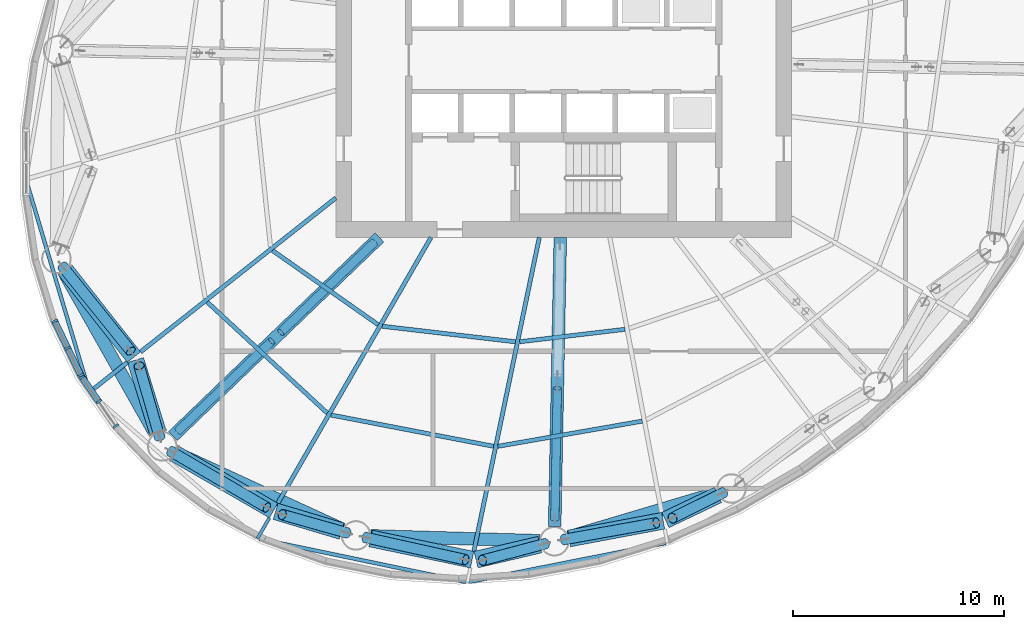
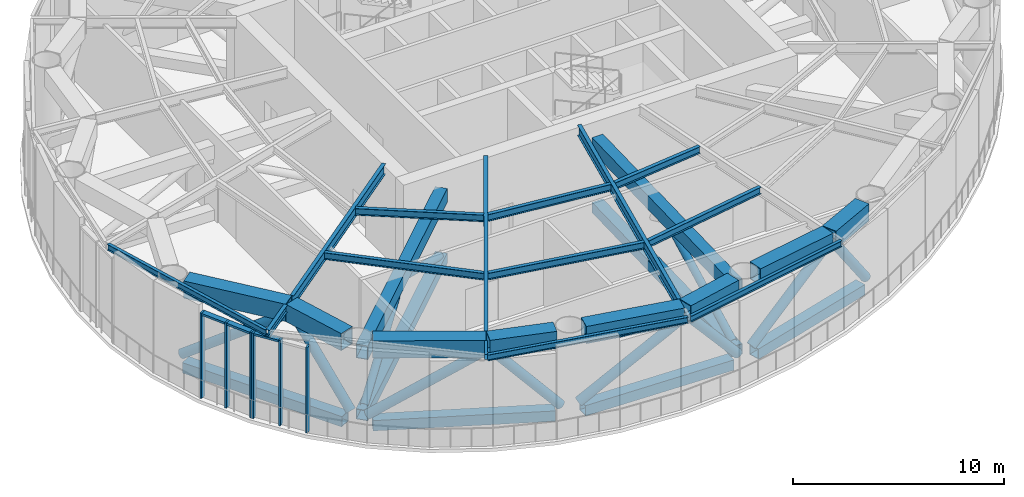
# One storey, part 2 of 19: 36 members, 14 beams, 2 elements without a shape of their own.
"""IFC4 building model written with IfcOpenShell, lengths in metres."""

from ifc_helpers import new_model, si_unit, direction, frame, origin, origin_2d, place, context, subcontext, project, spatial, rectangle, hollow_rectangle, hollow_circle, i_section, extrude, material, material_profile, profile_set, type_object, element, aggregate, save


model = new_model("IFC4")

# Units and contexts
model_context = context("Model", 3, precision=1e-05, world=origin(), true_north=direction((0.0, 1.0)))
body_context = subcontext(model_context, "Body", "Model", "MODEL_VIEW")
ifc_project = project(units=[si_unit("LENGTHUNIT", "METRE"), si_unit("AREAUNIT", "SQUARE_METRE"), si_unit("VOLUMEUNIT", "CUBIC_METRE"), si_unit("PLANEANGLEUNIT", "RADIAN"), si_unit("MASSUNIT", "GRAM", prefix="KILO")], contexts=[model_context])

# Site, building, storey
site_placement = place(None, origin())
site = spatial("IfcSite", under=ifc_project, at=site_placement, CompositionType="ELEMENT")
building_placement = place(site_placement, origin())
building = spatial("IfcBuilding", under=site, at=building_placement, Name="Vermilion Reach Broadcast Tower", CompositionType="ELEMENT")
storey_placement = place(building_placement, frame((0.0, 0.0, 190.199951171875)))
storey = spatial("IfcBuildingStorey", under=building, at=storey_placement, Name="L46", CompositionType="ELEMENT", Elevation=190.199951171875)

# Members
ifc_material_1 = material(Name="Steel S460NL", Category="steel")
ifc_material_profile_1 = material_profile(ifc_material_1, hollow_rectangle(XDim=0.60009765625, YDim=0.60009765625, WallThickness=0.030029296875, at=origin_2d()), Name="S460NL BOX 600x600x30")
ifc_profile_set_1 = profile_set([ifc_material_profile_1], Name="Steel S460NL")
member_type_1 = type_object("IfcMemberType", Name="BT3-BC BOX 600x600x30", PredefinedType="CHORD", material=ifc_profile_set_1)
member_1_placement = place(storey_placement, frame((-29.696533203125, -10.026123046875, 0.300048828125), z_axis=(0.491466825026, -0.870896296869, 0.0), x_axis=(0.870896296869, 0.491466825026, 0.0)))
element("IfcMember", 1, at=member_1_placement, inside=storey, type_object=member_type_1, Name="Belt truss bottom chord BT3-BC08", PredefinedType="CHORD", context=body_context, shape_type="SweptSolid", body=[
    extrude(hollow_rectangle(XDim=0.60009765625, YDim=0.60009765625, WallThickness=0.030029296875, at=origin_2d()), origin(), (0.0, 0.0, 1.0), 8.803466796875),
])
member_2_placement = place(storey_placement, frame((-24.389892578125, -18.594970703125, 0.300048828125), z_axis=(0.908546241769, -0.417784306272, 0.0), x_axis=(0.417784306272, 0.908546241769, 0.0)))
element("IfcMember", 2, at=member_2_placement, inside=storey, type_object=member_type_1, Name="Belt truss bottom chord BT3-BC09", PredefinedType="CHORD", context=body_context, shape_type="SweptSolid", body=[
    extrude(hollow_rectangle(XDim=0.60009765625, YDim=0.60009765625, WallThickness=0.030029296875, at=origin_2d()), origin(), (0.0, 0.0, 1.0), 8.704833984375),
])
member_3_placement = place(storey_placement, frame((-15.1455078125, -22.544677734375, 0.300048828125), z_axis=(0.999569781146, -0.029330063427, 0.0), x_axis=(0.029330063427, 0.999569781146, 0.0)))
element("IfcMember", 3, at=member_3_placement, inside=storey, type_object=member_type_1, Name="Belt truss bottom chord BT3-BC10", PredefinedType="CHORD", context=body_context, shape_type="SweptSolid", body=[
    extrude(hollow_rectangle(XDim=0.60009765625, YDim=0.60009765625, WallThickness=0.030029296875, at=origin_2d()), origin(), (0.0, 0.0, 1.0), 8.007568359375),
])
member_4_placement = place(storey_placement, frame((-5.770751953125, -22.60009765625, 0.300048828125), z_axis=(0.958416970322, 0.285371531516, 0.0), x_axis=(-0.285371531516, 0.958416970322, 0.0)))
element("IfcMember", 4, at=member_4_placement, inside=storey, type_object=member_type_1, Name="Belt truss bottom chord BT3-BC11", PredefinedType="CHORD", context=body_context, shape_type="SweptSolid", body=[
    extrude(hollow_rectangle(XDim=0.60009765625, YDim=0.60009765625, WallThickness=0.030029296875, at=origin_2d()), origin(), (0.0, 0.0, 1.0), 7.357421875),
])
ifc_material_2 = material(Name="Steel S355J2H", Category="steel")
ifc_material_profile_2 = material_profile(ifc_material_2, hollow_circle(Radius=0.25390625, WallThickness=0.02001953125, at=origin_2d()), Name="S355J2H CHS 508x20")
ifc_profile_set_2 = profile_set([ifc_material_profile_2], Name="Steel S355J2H")
member_type_2 = type_object("IfcMemberType", Name="BT3-D CHS 508x20", PredefinedType="BRACE", material=ifc_profile_set_2)
member_5_placement = place(storey_placement, frame((-29.758056640625, -9.766845703125, 0.800048828125), z_axis=(0.517850533058, -0.642158049048, 0.565211345829), x_axis=(0.778424211723, 0.62773859735, 0.0)))
element("IfcMember", 5, at=member_5_placement, inside=storey, type_object=member_type_2, Name="Belt truss diagonal BT3-D08A", PredefinedType="BRACE", context=body_context, shape_type="SweptSolid", body=[
    extrude(hollow_circle(Radius=0.25390625, WallThickness=0.02001953125, at=origin_2d()), origin(), (0.0, 0.0, 1.0), 6.26318359375),
])
member_6_placement = place(storey_placement, frame((-25.150146484375, -17.8701171875, 0.800048828125), z_axis=(-0.19455754061, 0.677846490444, 0.708993299534), x_axis=(-0.961190959632, -0.275883923276, 0.0)))
element("IfcMember", 6, at=member_6_placement, inside=storey, type_object=member_type_2, Name="Belt truss diagonal BT3-D08B", PredefinedType="BRACE", context=body_context, shape_type="SweptSolid", body=[
    extrude(hollow_circle(Radius=0.25390625, WallThickness=0.02001953125, at=origin_2d()), origin(), (0.0, 0.0, 1.0), 4.9931640625),
])
member_7_placement = place(storey_placement, frame((-24.637451171875, -18.52978515625, 0.800048828125), z_axis=(0.717597662826, -0.41968788047, 0.555801832754), x_axis=(0.50484831086, 0.863208076319, 0.0)))
element("IfcMember", 7, at=member_7_placement, inside=storey, type_object=member_type_2, Name="Belt truss diagonal BT3-D09A", PredefinedType="BRACE", context=body_context, shape_type="SweptSolid", body=[
    extrude(hollow_circle(Radius=0.25390625, WallThickness=0.02001953125, at=origin_2d()), origin(), (0.0, 0.0, 1.0), 6.369140625),
])
member_8_placement = place(storey_placement, frame((-16.2783203125, -22.40185546875, 0.800048828125), z_axis=(-0.643278409776, 0.181683448483, 0.743763411351), x_axis=(-0.271800976197, -0.962353484609, 0.0)))
element("IfcMember", 8, at=member_8_placement, inside=storey, type_object=member_type_2, Name="Belt truss diagonal BT3-D09B", PredefinedType="BRACE", context=body_context, shape_type="SweptSolid", body=[
    extrude(hollow_circle(Radius=0.25390625, WallThickness=0.02001953125, at=origin_2d()), origin(), (0.0, 0.0, 1.0), 4.759521484375),
])
member_9_placement = place(storey_placement, frame((-15.406005859375, -22.621826171875, 0.800048828125), z_axis=(0.789732870215, -0.175604290821, 0.587779828463), x_axis=(0.217057783335, 0.976158756911, 0.0)))
element("IfcMember", 9, at=member_9_placement, inside=storey, type_object=member_type_2, Name="Belt truss diagonal BT3-D10A", PredefinedType="BRACE", context=body_context, shape_type="SweptSolid", body=[
    extrude(hollow_circle(Radius=0.25390625, WallThickness=0.02001953125, at=origin_2d()), origin(), (0.0, 0.0, 1.0), 6.022705078125),
])
member_10_placement = place(storey_placement, frame((-6.876708984375, -22.915283203125, 0.800048828125), z_axis=(-0.634026201671, -0.16794223882, 0.754855072192), x_axis=(0.256051812758, -0.966663058766, 0.0)))
element("IfcMember", 10, at=member_10_placement, inside=storey, type_object=member_type_2, Name="Belt truss diagonal BT3-D10B", PredefinedType="BRACE", context=body_context, shape_type="SweptSolid", body=[
    extrude(hollow_circle(Radius=0.25390625, WallThickness=0.02001953125, at=origin_2d()), origin(), (0.0, 0.0, 1.0), 4.689697265625),
])
member_11_placement = place(storey_placement, frame((-5.998779296875, -22.720458984375, 0.800048828125), z_axis=(0.770564794127, 0.138417619347, 0.622149869973), x_axis=(-0.176801562769, 0.984246517597, 0.0)))
element("IfcMember", 11, at=member_11_placement, inside=storey, type_object=member_type_2, Name="Belt truss diagonal BT3-D11A", PredefinedType="BRACE", context=body_context, shape_type="SweptSolid", body=[
    extrude(hollow_circle(Radius=0.25390625, WallThickness=0.02001953125, at=origin_2d()), origin(), (0.0, 0.0, 1.0), 5.68994140625),
])
member_12_placement = place(storey_placement, frame((1.54931640625, -20.50244140625, 0.800048828125), z_axis=(-0.53969771291, -0.270700981804, 0.797149519934), x_axis=(0.44834228964, -0.893861953167, 0.0)))
element("IfcMember", 12, at=member_12_placement, inside=storey, type_object=member_type_2, Name="Belt truss diagonal BT3-D11B", PredefinedType="BRACE", context=body_context, shape_type="SweptSolid", body=[
    extrude(hollow_circle(Radius=0.25390625, WallThickness=0.02001953125, at=origin_2d()), origin(), (0.0, 0.0, 1.0), 4.44091796875),
])
ifc_material_3 = material(Name="Steel S460NL", Category="steel")
ifc_material_profile_3 = material_profile(ifc_material_3, hollow_rectangle(XDim=0.800048828125, YDim=1.0, WallThickness=0.0400390625, at=origin_2d()), Name="S460NL BOX 800x1000x40")
ifc_profile_set_3 = profile_set([ifc_material_profile_3], Name="Steel S460NL")
member_type_3 = type_object("IfcMemberType", Name="BT3-TC BOX 800x1000x40", PredefinedType="CHORD", material=ifc_profile_set_3)
member_13_placement = place(storey_placement, frame((-29.600830078125, -9.97412109375, 4.85009765625), z_axis=(0.619189459587, -0.785241627231, 0.0), x_axis=(0.785241627231, 0.619189459587, 0.0)))
element("IfcMember", 13, at=member_13_placement, inside=storey, type_object=member_type_3, Name="Belt truss top chord BT3-TC15", PredefinedType="CHORD", context=body_context, shape_type="SweptSolid", body=[
    extrude(hollow_rectangle(XDim=0.800048828125, YDim=1.0, WallThickness=0.0400390625, at=origin_2d()), origin(), (0.0, 0.0, 1.0), 5.222412109375),
])
member_14_placement = place(storey_placement, frame((-26.294677734375, -14.212890625, 4.85009765625), z_axis=(0.296289574057, -0.955098156372, 0.0), x_axis=(0.955098156372, 0.296289574057, 0.0)))
element("IfcMember", 14, at=member_14_placement, inside=storey, type_object=member_type_3, Name="Belt truss top chord BT3-TC16", PredefinedType="CHORD", context=body_context, shape_type="SweptSolid", body=[
    extrude(hollow_rectangle(XDim=0.800048828125, YDim=1.0, WallThickness=0.0400390625, at=origin_2d()), origin(), (0.0, 0.0, 1.0), 3.572021484375),
])
member_15_placement = place(storey_placement, frame((-24.41064453125, -18.6572265625, 4.85009765625), z_axis=(0.866411335394, -0.499330950272, 0.0), x_axis=(0.499330950272, 0.866411335394, 0.0)))
element("IfcMember", 15, at=member_15_placement, inside=storey, type_object=member_type_3, Name="Belt truss top chord BT3-TC17", PredefinedType="CHORD", context=body_context, shape_type="SweptSolid", body=[
    extrude(hollow_rectangle(XDim=0.800048828125, YDim=1.0, WallThickness=0.0400390625, at=origin_2d()), origin(), (0.0, 0.0, 1.0), 5.381103515625),
])
member_16_placement = place(storey_placement, frame((-19.654052734375, -21.384765625, 4.85009765625), z_axis=(0.958062589396, -0.286559024983, 0.0), x_axis=(0.286559024983, 0.958062589396, 0.0)))
element("IfcMember", 16, at=member_16_placement, inside=storey, type_object=member_type_3, Name="Belt truss top chord BT3-TC18", PredefinedType="CHORD", context=body_context, shape_type="SweptSolid", body=[
    extrude(hollow_rectangle(XDim=0.800048828125, YDim=1.0, WallThickness=0.0400390625, at=origin_2d()), origin(), (0.0, 0.0, 1.0), 3.265625),
])
member_17_placement = place(storey_placement, frame((-15.150146484375, -22.6689453125, 4.85009765625), z_axis=(0.978936154823, -0.204166610347, 0.0), x_axis=(0.204166610347, 0.978936154823, 0.0)))
element("IfcMember", 17, at=member_17_placement, inside=storey, type_object=member_type_3, Name="Belt truss top chord BT3-TC19", PredefinedType="CHORD", context=body_context, shape_type="SweptSolid", body=[
    extrude(hollow_rectangle(XDim=0.800048828125, YDim=1.0, WallThickness=0.0400390625, at=origin_2d()), origin(), (0.0, 0.0, 1.0), 4.912353515625),
])
member_18_placement = place(storey_placement, frame((-10.158935546875, -23.669677734375, 4.85009765625), z_axis=(0.97370078773, 0.227830586124, 0.0), x_axis=(-0.227830586124, 0.97370078773, 0.0)))
element("IfcMember", 18, at=member_18_placement, inside=storey, type_object=member_type_3, Name="Belt truss top chord BT3-TC20", PredefinedType="CHORD", context=body_context, shape_type="SweptSolid", body=[
    extrude(hollow_rectangle(XDim=0.800048828125, YDim=1.0, WallThickness=0.0400390625, at=origin_2d()), origin(), (0.0, 0.0, 1.0), 3.107666015625),
])
member_19_placement = place(storey_placement, frame((-5.744140625, -22.66845703125, 4.85009765625), z_axis=(0.982737253011, 0.185006733779, 0.0), x_axis=(-0.185006733779, 0.982737253011, 0.0)))
element("IfcMember", 19, at=member_19_placement, inside=storey, type_object=member_type_3, Name="Belt truss top chord BT3-TC21", PredefinedType="CHORD", context=body_context, shape_type="SweptSolid", body=[
    extrude(hollow_rectangle(XDim=0.800048828125, YDim=1.0, WallThickness=0.0400390625, at=origin_2d()), origin(), (0.0, 0.0, 1.0), 4.53564453125),
])
member_20_placement = place(storey_placement, frame((-1.17919921875, -21.794189453125, 4.85009765625), z_axis=(0.902574055151, 0.430534638524, 0.0), x_axis=(-0.430534638524, 0.902574055151, 0.0)))
element("IfcMember", 20, at=member_20_placement, inside=storey, type_object=member_type_3, Name="Belt truss top chord BT3-TC22", PredefinedType="CHORD", context=body_context, shape_type="SweptSolid", body=[
    extrude(hollow_rectangle(XDim=0.800048828125, YDim=1.0, WallThickness=0.0400390625, at=origin_2d()), origin(), (0.0, 0.0, 1.0), 2.7587890625),
])

# Curtain wall, members
ifc_material_4 = material(Name="Low-e laminated clear glass in aluminium frame", Category="aluminium")
curtain_wall_type = type_object("IfcCurtainWallType", Name="Belt glazing curtain wall", PredefinedType="NOTDEFINED", material=ifc_material_4)
placement = place(storey_placement, origin())
curtain_wall_1 = element("IfcCurtainWall", 21, at=placement, inside=storey, type_object=curtain_wall_type, Name="Sky lobby glazing L46 01", PredefinedType="NOTDEFINED")
ifc_material_5 = material(Name="Anodised aluminium", Category="aluminium")
ifc_material_profile_4 = material_profile(ifc_material_5, rectangle(XDim=0.300048828125, YDim=0.10009765625, at=origin_2d()), Name="Belt glazing mullion 100 x 300")
ifc_profile_set_4 = profile_set([ifc_material_profile_4], Name="Anodised aluminium")
member_type_4 = type_object("IfcMemberType", Name="Belt glazing mullion 100 x 300", PredefinedType="MULLION", material=ifc_profile_set_4)
member_21_placement = place(storey_placement, frame((-30.122802734375, -12.3681640625, 0.0), z_axis=(0.0, 0.0, 1.0), x_axis=(0.900960065819, 0.433902016358, 0.0)))
member_21 = element("IfcMember", 22, at=member_21_placement, type_object=member_type_4, Name="Sky lobby glazing mullion L46 01.1", PredefinedType="MULLION", context=body_context, shape_type="SweptSolid", body=[
    extrude(rectangle(XDim=0.300048828125, YDim=0.10009765625, at=origin_2d()), origin(), (0.0, 0.0, 1.0), 4.949951171875),
])
member_22_placement = place(storey_placement, frame((-29.504150390625, -13.65234375, 0.0), z_axis=(0.0, 0.0, 1.0), x_axis=(0.900960065819, 0.433902016358, 0.0)))
member_22 = element("IfcMember", 23, at=member_22_placement, type_object=member_type_4, Name="Sky lobby glazing mullion L46 01.2", PredefinedType="MULLION", context=body_context, shape_type="SweptSolid", body=[
    extrude(rectangle(XDim=0.300048828125, YDim=0.10009765625, at=origin_2d()), origin(), (0.0, 0.0, 1.0), 4.949951171875),
])
member_23_placement = place(storey_placement, frame((-28.8857421875, -14.936767578125, 0.0), z_axis=(0.0, 0.0, 1.0), x_axis=(0.900960065819, 0.433902016358, 0.0)))
member_23 = element("IfcMember", 24, at=member_23_placement, type_object=member_type_4, Name="Sky lobby glazing mullion L46 01.3", PredefinedType="MULLION", context=body_context, shape_type="SweptSolid", body=[
    extrude(rectangle(XDim=0.300048828125, YDim=0.10009765625, at=origin_2d()), origin(), (0.0, 0.0, 1.0), 4.949951171875),
])

curtain_wall_2 = element("IfcCurtainWall", 25, at=placement, inside=storey, type_object=curtain_wall_type, Name="Sky lobby glazing L46 02", PredefinedType="NOTDEFINED")
member_24_placement = place(storey_placement, frame((-28.83544921875, -15.02294921875, 0.0), z_axis=(0.0, 0.0, 1.0), x_axis=(0.821280862388, 0.570524096839, 0.0)))
member_24 = element("IfcMember", 26, at=member_24_placement, type_object=member_type_4, Name="Sky lobby glazing mullion L46 02.1", PredefinedType="MULLION", context=body_context, shape_type="SweptSolid", body=[
    extrude(rectangle(XDim=0.300048828125, YDim=0.10009765625, at=origin_2d()), origin(), (0.0, 0.0, 1.0), 4.949951171875),
])
member_25_placement = place(storey_placement, frame((-28.029296875, -16.183349609375, 0.0), z_axis=(0.0, 0.0, 1.0), x_axis=(0.821280862388, 0.570524096839, 0.0)))
member_25 = element("IfcMember", 27, at=member_25_placement, type_object=member_type_4, Name="Sky lobby glazing mullion L46 02.2", PredefinedType="MULLION", context=body_context, shape_type="SweptSolid", body=[
    extrude(rectangle(XDim=0.300048828125, YDim=0.10009765625, at=origin_2d()), origin(), (0.0, 0.0, 1.0), 4.949951171875),
])
member_26_placement = place(storey_placement, frame((-27.22314453125, -17.34375, 0.0), z_axis=(0.0, 0.0, 1.0), x_axis=(0.821280862388, 0.570524096839, 0.0)))
member_26 = element("IfcMember", 28, at=member_26_placement, type_object=member_type_4, Name="Sky lobby glazing mullion L46 02.3", PredefinedType="MULLION", context=body_context, shape_type="SweptSolid", body=[
    extrude(rectangle(XDim=0.300048828125, YDim=0.10009765625, at=origin_2d()), origin(), (0.0, 0.0, 1.0), 4.949951171875),
])

# Member
ifc_material_6 = material(Name="Anodised aluminium", Category="aluminium")
ifc_material_profile_5 = material_profile(ifc_material_6, rectangle(XDim=0.300048828125, YDim=0.1201171875, at=origin_2d()), Name="Belt glazing transom 300 x 120")
ifc_profile_set_5 = profile_set([ifc_material_profile_5], Name="Anodised aluminium")
member_type_5 = type_object("IfcMemberType", Name="Belt glazing transom 300 x 120", PredefinedType="USERDEFINED", material=ifc_profile_set_5)
member_27_placement = place(storey_placement, frame((-30.10107421875, -12.4130859375, 4.89013671875), z_axis=(0.433904215099, -0.900959006903, 0.0), x_axis=(0.900959006903, 0.433904215099, 0.0)))
member_27 = element("IfcMember", 29, at=member_27_placement, type_object=member_type_5, Name="Sky lobby glazing transom L46 01.1.2", ObjectType="TRANSOM", PredefinedType="USERDEFINED", context=body_context, shape_type="SweptSolid", body=[
    extrude(rectangle(XDim=0.300048828125, YDim=0.1201171875, at=origin_2d()), origin(), (0.0, 0.0, 1.0), 1.32568359375),
])

member_28_placement = place(storey_placement, frame((-29.482421875, -13.697509765625, 4.89013671875), z_axis=(0.433904215099, -0.900959006903, 0.0), x_axis=(0.900959006903, 0.433904215099, 0.0)))
member_28 = element("IfcMember", 30, at=member_28_placement, type_object=member_type_5, Name="Sky lobby glazing transom L46 01.2.2", ObjectType="TRANSOM", PredefinedType="USERDEFINED", context=body_context, shape_type="SweptSolid", body=[
    extrude(rectangle(XDim=0.300048828125, YDim=0.1201171875, at=origin_2d()), origin(), (0.0, 0.0, 1.0), 1.32568359375),
])

aggregate(curtain_wall_1, [member_21, member_22, member_23, member_27, member_28])

member_29_placement = place(storey_placement, frame((-28.806884765625, -15.06396484375, 4.89013671875), z_axis=(0.570475953353, -0.82131430442, 0.0), x_axis=(0.82131430442, 0.570475953353, 0.0)))
member_29 = element("IfcMember", 31, at=member_29_placement, type_object=member_type_5, Name="Sky lobby glazing transom L46 02.1.2", ObjectType="TRANSOM", PredefinedType="USERDEFINED", context=body_context, shape_type="SweptSolid", body=[
    extrude(rectangle(XDim=0.300048828125, YDim=0.1201171875, at=origin_2d()), origin(), (0.0, 0.0, 1.0), 1.31298828125),
])

aggregate(curtain_wall_2, [member_24, member_25, member_26, member_29])

# Beams
ifc_material_7 = material(Name="Steel S355J2", Category="steel")
ifc_material_profile_6 = material_profile(ifc_material_7, i_section(OverallWidth=0.175048828125, OverallDepth=0.35009765625, WebThickness=0.007080078125, FlangeThickness=0.010986328125, at=origin_2d()), Name="S355J2 HN 350x175x7x11")
ifc_profile_set_6 = profile_set([ifc_material_profile_6], Name="Steel S355J2")
beam_type_1 = type_object("IfcBeamType", Name="EB4 HN 350x175x7x11", PredefinedType="BEAM", material=ifc_profile_set_6)
beam_1_placement = place(storey_placement, frame((-31.460205078125, -5.735595703125, 5.175048828125), z_axis=(0.285730118032, -0.958310127072, 0.0), x_axis=(0.958310127072, 0.285730118032, 0.0)))
element("IfcBeam", 32, at=beam_1_placement, inside=storey, type_object=beam_type_1, Name="Edge beam EB4-07", PredefinedType="BEAM", context=body_context, shape_type="SweptSolid", body=[
    extrude(i_section(OverallWidth=0.175048828125, OverallDepth=0.35009765625, WebThickness=0.007080078125, FlangeThickness=0.010986328125, at=origin_2d()), origin(), (0.0, 0.0, 1.0), 10.3310546875),
])
beam_2_placement = place(storey_placement, frame((-20.434814453125, -22.685791015625, 5.175048828125), z_axis=(0.978964788387, -0.204029270199, 0.0), x_axis=(0.204029270199, 0.978964788387, 0.0)))
element("IfcBeam", 33, at=beam_2_placement, inside=storey, type_object=beam_type_1, Name="Edge beam EB4-09", PredefinedType="BEAM", context=body_context, shape_type="SweptSolid", body=[
    extrude(i_section(OverallWidth=0.175048828125, OverallDepth=0.35009765625, WebThickness=0.007080078125, FlangeThickness=0.010986328125, at=origin_2d()), origin(), (0.0, 0.0, 1.0), 10.007080078125),
])
beam_3_placement = place(storey_placement, frame((-10.48486328125, -24.72705078125, 5.175048828125), z_axis=(0.980974018231, 0.194139062416, 0.0), x_axis=(-0.194139062416, 0.980974018231, 0.0)))
element("IfcBeam", 34, at=beam_3_placement, inside=storey, type_object=beam_type_1, Name="Edge beam EB4-10", PredefinedType="BEAM", context=body_context, shape_type="SweptSolid", body=[
    extrude(i_section(OverallWidth=0.175048828125, OverallDepth=0.35009765625, WebThickness=0.007080078125, FlangeThickness=0.010986328125, at=origin_2d()), origin(), (0.0, 0.0, 1.0), 9.500732421875),
])
ifc_material_8 = material(Name="Steel S355J2", Category="steel")
ifc_material_profile_7 = material_profile(ifc_material_8, i_section(OverallWidth=0.199951171875, OverallDepth=0.60009765625, WebThickness=0.010986328125, FlangeThickness=0.01708984375, at=origin_2d()), Name="S355J2 HN 600x200x11x17")
ifc_profile_set_7 = profile_set([ifc_material_profile_7], Name="Steel S355J2")
beam_type_2 = type_object("IfcBeamType", Name="G4 HN 600x200x11x17", PredefinedType="BEAM", material=ifc_profile_set_7)
beam_4_placement = place(storey_placement, frame((-16.800048828125, -6.53125, 5.050048828125), z_axis=(-0.785245918338, -0.619184017666, 0.0), x_axis=(0.619184017666, -0.785245918338, 0.0)))
element("IfcBeam", 35, at=beam_4_placement, inside=storey, type_object=beam_type_2, Name="Girder G4-08", PredefinedType="BEAM", context=body_context, shape_type="SweptSolid", body=[
    extrude(i_section(OverallWidth=0.199951171875, OverallDepth=0.60009765625, WebThickness=0.010986328125, FlangeThickness=0.01708984375, at=origin_2d()), origin(), (0.0, 0.0, 1.0), 11.783447265625),
])
beam_5_placement = place(storey_placement, frame((-12.288330078125, -8.39990234375, 5.050048828125), z_axis=(-0.499328960966, -0.86641248187, 0.0), x_axis=(0.86641248187, -0.499328960966, 0.0)))
element("IfcBeam", 36, at=beam_5_placement, inside=storey, type_object=beam_type_2, Name="Girder G4-09", PredefinedType="BEAM", context=body_context, shape_type="SweptSolid", body=[
    extrude(i_section(OverallWidth=0.199951171875, OverallDepth=0.60009765625, WebThickness=0.010986328125, FlangeThickness=0.01708984375, at=origin_2d()), origin(), (0.0, 0.0, 1.0), 14.5400390625),
])
beam_6_placement = place(storey_placement, frame((-7.15625, -8.39990234375, 5.050048828125), z_axis=(-0.20416782623, -0.978935901238, 0.0), x_axis=(0.978935901238, -0.20416782623, 0.0)))
element("IfcBeam", 37, at=beam_6_placement, inside=storey, type_object=beam_type_2, Name="Girder G4-10", PredefinedType="BEAM", context=body_context, shape_type="SweptSolid", body=[
    extrude(i_section(OverallWidth=0.199951171875, OverallDepth=0.60009765625, WebThickness=0.010986328125, FlangeThickness=0.01708984375, at=origin_2d()), origin(), (0.0, 0.0, 1.0), 15.200927734375),
])
ifc_material_9 = material(Name="Steel S355J2", Category="steel")
ifc_material_profile_8 = material_profile(ifc_material_9, i_section(OverallWidth=0.199951171875, OverallDepth=0.39990234375, WebThickness=0.008056640625, FlangeThickness=0.012939453125, at=origin_2d()), Name="S355J2 HN 400x200x8x13")
ifc_profile_set_8 = profile_set([ifc_material_profile_8], Name="Steel S355J2")
beam_type_3 = type_object("IfcBeamType", Name="GC4 HN 400x200x8x13", PredefinedType="BEAM", material=ifc_profile_set_8)
beam_7_placement = place(storey_placement, frame((-26.68115234375, -14.32275390625, 5.150146484375), z_axis=(-0.785295110359, -0.619121627506, 0.0), x_axis=(0.619121627506, -0.785295110359, 0.0)))
element("IfcBeam", 38, at=beam_7_placement, inside=storey, type_object=beam_type_3, Name="Cantilever girder GC4-08", PredefinedType="BEAM", context=body_context, shape_type="SweptSolid", body=[
    extrude(i_section(OverallWidth=0.199951171875, OverallDepth=0.39990234375, WebThickness=0.008056640625, FlangeThickness=0.012939453125, at=origin_2d()), origin(), (0.0, 0.0, 1.0), 2.28759765625),
])
ifc_material_10 = material(Name="Steel S355J2", Category="steel")
ifc_material_profile_9 = material_profile(ifc_material_10, i_section(OverallWidth=0.14990234375, OverallDepth=0.300048828125, WebThickness=0.006591796875, FlangeThickness=0.009033203125, at=origin_2d()), Name="S355J2 HN 300x150x6.5x9")
ifc_profile_set_9 = profile_set([ifc_material_profile_9], Name="Steel S355J2")
beam_type_4 = type_object("IfcBeamType", Name="GS4 HN 300x150x6.5x9", PredefinedType="BEAM", material=ifc_profile_set_9)
beam_8_placement = place(storey_placement, frame((-19.947998046875, -21.690673828125, 5.199951171875), z_axis=(-0.499161145765, -0.866509175115, 0.0), x_axis=(0.866509175115, -0.499161145765, 0.0)))
element("IfcBeam", 39, at=beam_8_placement, inside=storey, type_object=beam_type_4, Name="Cantilever stub GS4-09", PredefinedType="BEAM", context=body_context, shape_type="SweptSolid", body=[
    extrude(i_section(OverallWidth=0.14990234375, OverallDepth=0.300048828125, WebThickness=0.006591796875, FlangeThickness=0.009033203125, at=origin_2d()), origin(), (0.0, 0.0, 1.0), 1.1298828125),
])

# Members
ifc_material_11 = material(Name="Steel S460NL", Category="steel")
ifc_material_profile_10 = material_profile(ifc_material_11, hollow_rectangle(XDim=0.60009765625, YDim=0.60009765625, WallThickness=0.030029296875, at=origin_2d()), Name="S460NL BOX 600x600x30")
ifc_profile_set_10 = profile_set([ifc_material_profile_10], Name="Steel S460NL")
member_type_6 = type_object("IfcMemberType", Name="OR3-BC BOX 600x600x30", PredefinedType="CHORD", material=ifc_profile_set_10)
member_30_placement = place(storey_placement, frame((-14.73193359375, -8.39990234375, 0.300048828125), z_axis=(-0.720669342644, -0.693278947158, 0.0), x_axis=(0.693278947158, -0.720669342644, 0.0)))
element("IfcMember", 40, at=member_30_placement, inside=storey, type_object=member_type_6, Name="Outrigger bottom chord OR3-09", PredefinedType="CHORD", context=body_context, shape_type="SweptSolid", body=[
    extrude(hollow_rectangle(XDim=0.60009765625, YDim=0.60009765625, WallThickness=0.030029296875, at=origin_2d()), origin(), (0.0, 0.0, 1.0), 13.583984375),
])
member_31_placement = place(storey_placement, frame((-6.162841796875, -8.39990234375, 0.300048828125), z_axis=(-0.019366956402, -0.999812442911, 0.0), x_axis=(0.999812442911, -0.019366956402, 0.0)))
element("IfcMember", 41, at=member_31_placement, inside=storey, type_object=member_type_6, Name="Outrigger bottom chord OR3-11", PredefinedType="CHORD", context=body_context, shape_type="SweptSolid", body=[
    extrude(hollow_rectangle(XDim=0.60009765625, YDim=0.60009765625, WallThickness=0.030029296875, at=origin_2d()), origin(), (0.0, 0.0, 1.0), 13.702880859375),
])
ifc_material_12 = material(Name="Steel S355J2H", Category="steel")
ifc_material_profile_11 = material_profile(ifc_material_12, hollow_circle(Radius=0.203125, WallThickness=0.01611328125, at=origin_2d()), Name="S355J2H CHS 406x16")
ifc_profile_set_11 = profile_set([ifc_material_profile_11], Name="Steel S355J2H")
member_type_7 = type_object("IfcMemberType", Name="OR3-D CHS 406x16", PredefinedType="BRACE", material=ifc_profile_set_11)
member_32_placement = place(storey_placement, frame((-14.984130859375, -8.642578125, 0.60009765625), z_axis=(-0.649622917392, -0.624935096648, 0.432950563202), x_axis=(0.693280284756, -0.720668055882, 0.0)))
element("IfcMember", 42, at=member_32_placement, inside=storey, type_object=member_type_7, Name="Outrigger diagonal OR3-09-DA", PredefinedType="BRACE", context=body_context, shape_type="SweptSolid", body=[
    extrude(hollow_circle(Radius=0.203125, WallThickness=0.01611328125, at=origin_2d()), origin(), (0.0, 0.0, 1.0), 6.8134765625),
])
member_33_placement = place(storey_placement, frame((-24.269287109375, -17.57470703125, 0.60009765625), z_axis=(0.64964362685, 0.624920550212, 0.432940485535), x_axis=(-0.693260424955, 0.720687160418, 0.0)))
element("IfcMember", 43, at=member_33_placement, inside=storey, type_object=member_type_7, Name="Outrigger diagonal OR3-09-DB", PredefinedType="BRACE", context=body_context, shape_type="SweptSolid", body=[
    extrude(hollow_circle(Radius=0.203125, WallThickness=0.01611328125, at=origin_2d()), origin(), (0.0, 0.0, 1.0), 6.813720703125),
])
member_34_placement = place(storey_placement, frame((-6.42138671875, -21.750244140625, 0.60009765625), z_axis=(0.017491319621, 0.902864945325, 0.429568323136), x_axis=(-0.999812393732, 0.019369495106, 0.0)))
element("IfcMember", 44, at=member_34_placement, inside=storey, type_object=member_type_7, Name="Outrigger diagonal OR3-11-DB", PredefinedType="BRACE", context=body_context, shape_type="SweptSolid", body=[
    extrude(hollow_circle(Radius=0.203125, WallThickness=0.01611328125, at=origin_2d()), origin(), (0.0, 0.0, 1.0), 6.8671875),
])
ifc_material_13 = material(Name="Steel S460NL", Category="steel")
ifc_material_profile_12 = material_profile(ifc_material_13, hollow_rectangle(XDim=0.60009765625, YDim=0.800048828125, WallThickness=0.030029296875, at=origin_2d()), Name="S460NL BOX 600x800x30")
ifc_profile_set_12 = profile_set([ifc_material_profile_12], Name="Steel S460NL")
member_type_8 = type_object("IfcMemberType", Name="OR3-TC BOX 600x800x30", PredefinedType="CHORD", material=ifc_profile_set_12)
member_35_placement = place(storey_placement, frame((-14.73193359375, -8.39990234375, 3.949951171875), z_axis=(-0.720669342644, -0.693278947158, 0.0), x_axis=(0.693278947158, -0.720669342644, 0.0)))
element("IfcMember", 45, at=member_35_placement, inside=storey, type_object=member_type_8, Name="Outrigger top chord OR3-09", PredefinedType="CHORD", context=body_context, shape_type="SweptSolid", body=[
    extrude(hollow_rectangle(XDim=0.60009765625, YDim=0.800048828125, WallThickness=0.030029296875, at=origin_2d()), origin(), (0.0, 0.0, 1.0), 13.583984375),
])
member_36_placement = place(storey_placement, frame((-6.162841796875, -8.39990234375, 3.949951171875), z_axis=(-0.019366956402, -0.999812442911, 0.0), x_axis=(0.999812442911, -0.019366956402, 0.0)))
element("IfcMember", 46, at=member_36_placement, inside=storey, type_object=member_type_8, Name="Outrigger top chord OR3-11", PredefinedType="CHORD", context=body_context, shape_type="SweptSolid", body=[
    extrude(hollow_rectangle(XDim=0.60009765625, YDim=0.800048828125, WallThickness=0.030029296875, at=origin_2d()), origin(), (0.0, 0.0, 1.0), 13.702880859375),
])

# Beams
ifc_material_14 = material(Name="Steel S355J2", Category="steel")
ifc_material_profile_13 = material_profile(ifc_material_14, i_section(OverallWidth=0.199951171875, OverallDepth=0.39990234375, WebThickness=0.008056640625, FlangeThickness=0.012939453125, at=origin_2d()), Name="S355J2 HN 400x200x8x13")
ifc_profile_set_13 = profile_set([ifc_material_profile_13], Name="Steel S355J2")
beam_type_5 = type_object("IfcBeamType", Name="SB4 HN 400x200x8x13", PredefinedType="BEAM", material=ifc_profile_set_13)
beam_9_placement = place(storey_placement, frame((-19.798828125, -9.023193359375, 5.150146484375), z_axis=(0.818271309838, -0.574832204644, 0.0), x_axis=(0.574832204644, 0.818271309838, 0.0)))
element("IfcBeam", 47, at=beam_9_placement, inside=storey, type_object=beam_type_5, Name="Secondary beam SB4-08-1", PredefinedType="BEAM", context=body_context, shape_type="SweptSolid", body=[
    extrude(i_section(OverallWidth=0.199951171875, OverallDepth=0.39990234375, WebThickness=0.008056640625, FlangeThickness=0.012939453125, at=origin_2d()), origin(), (0.0, 0.0, 1.0), 6.12060546875),
])
beam_10_placement = place(storey_placement, frame((-22.894287109375, -11.464111328125, 5.150146484375), z_axis=(0.734049595431, -0.679095863224, 0.0), x_axis=(0.679095863224, 0.734049595431, 0.0)))
element("IfcBeam", 48, at=beam_10_placement, inside=storey, type_object=beam_type_5, Name="Secondary beam SB4-08-2", PredefinedType="BEAM", context=body_context, shape_type="SweptSolid", body=[
    extrude(i_section(OverallWidth=0.199951171875, OverallDepth=0.39990234375, WebThickness=0.008056640625, FlangeThickness=0.012939453125, at=origin_2d()), origin(), (0.0, 0.0, 1.0), 7.75244140625),
])
beam_11_placement = place(storey_placement, frame((-14.600341796875, -12.61181640625, 5.150146484375), z_axis=(0.993255395857, -0.115947050853, 0.0), x_axis=(0.115947050853, 0.993255395857, 0.0)))
element("IfcBeam", 49, at=beam_11_placement, inside=storey, type_object=beam_type_5, Name="Secondary beam SB4-09-1", PredefinedType="BEAM", context=body_context, shape_type="SweptSolid", body=[
    extrude(i_section(OverallWidth=0.199951171875, OverallDepth=0.39990234375, WebThickness=0.008056640625, FlangeThickness=0.012939453125, at=origin_2d()), origin(), (0.0, 0.0, 1.0), 6.3525390625),
])
beam_12_placement = place(storey_placement, frame((-17.024658203125, -16.818359375, 5.150146484375), z_axis=(0.981961122751, -0.189082927327, 0.0), x_axis=(0.189082927327, 0.981961122751, 0.0)))
element("IfcBeam", 50, at=beam_12_placement, inside=storey, type_object=beam_type_5, Name="Secondary beam SB4-09-2", PredefinedType="BEAM", context=body_context, shape_type="SweptSolid", body=[
    extrude(i_section(OverallWidth=0.199951171875, OverallDepth=0.39990234375, WebThickness=0.008056640625, FlangeThickness=0.012939453125, at=origin_2d()), origin(), (0.0, 0.0, 1.0), 7.842529296875),
])
beam_13_placement = place(storey_placement, frame((-8.0859375, -13.34765625, 5.150146484375), z_axis=(0.993066424058, 0.117554572048, 0.0), x_axis=(-0.117554572048, 0.993066424058, 0.0)))
element("IfcBeam", 51, at=beam_13_placement, inside=storey, type_object=beam_type_5, Name="Secondary beam SB4-10-1", PredefinedType="BEAM", context=body_context, shape_type="SweptSolid", body=[
    extrude(i_section(OverallWidth=0.199951171875, OverallDepth=0.39990234375, WebThickness=0.008056640625, FlangeThickness=0.012939453125, at=origin_2d()), origin(), (0.0, 0.0, 1.0), 5.02392578125),
])
beam_14_placement = place(storey_placement, frame((-9.119140625, -18.3017578125, 5.150146484375), z_axis=(0.9851140677, 0.171901930238, 0.0), x_axis=(-0.171901930238, 0.9851140677, 0.0)))
element("IfcBeam", 52, at=beam_14_placement, inside=storey, type_object=beam_type_5, Name="Secondary beam SB4-10-2", PredefinedType="BEAM", context=body_context, shape_type="SweptSolid", body=[
    extrude(i_section(OverallWidth=0.199951171875, OverallDepth=0.39990234375, WebThickness=0.008056640625, FlangeThickness=0.012939453125, at=origin_2d()), origin(), (0.0, 0.0, 1.0), 6.94482421875),
])

save(model, "model.ifc")
